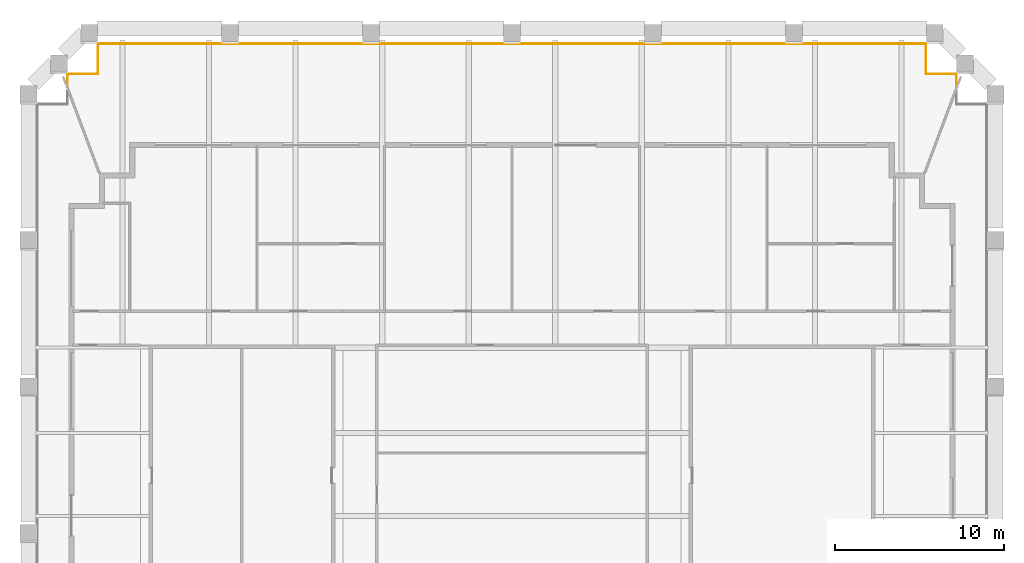
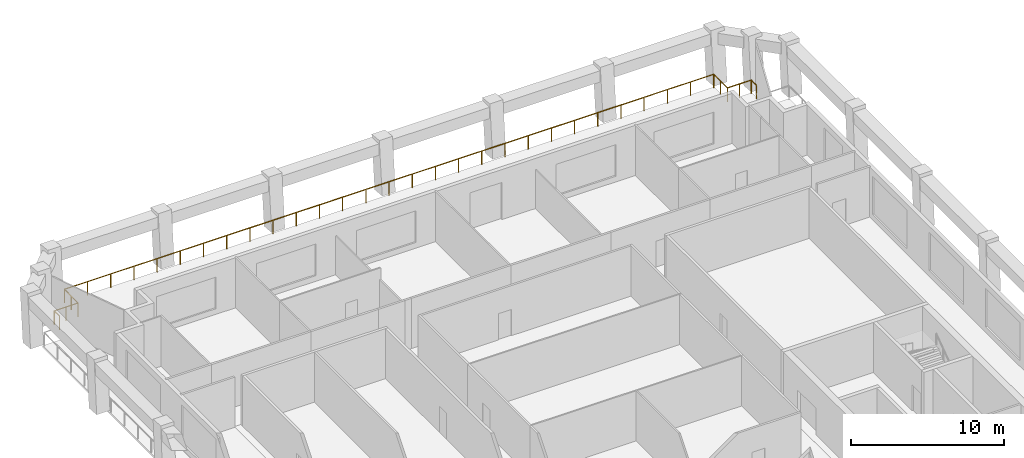
# One storey, part 9 of 9: 1 railing.
"""IFC4 building model written with IfcOpenShell, lengths in metres."""

from ifc_helpers import new_model, si_unit, direction, frame, origin, origin_2d, place, context, subcontext, project, spatial, circle, extrude, material, type_object, element, save


model = new_model("IFC4")

# Units and contexts
model_context = context("Model", 3, precision=1e-05, world=origin(), true_north=direction((0.0, 1.0)))
body_context = subcontext(model_context, "Body", "Model", "MODEL_VIEW")
ifc_project = project(units=[si_unit("LENGTHUNIT", "METRE"), si_unit("AREAUNIT", "SQUARE_METRE"), si_unit("VOLUMEUNIT", "CUBIC_METRE"), si_unit("PLANEANGLEUNIT", "RADIAN"), si_unit("MASSUNIT", "GRAM", prefix="KILO")], contexts=[model_context])

# Site, building, storey
site_placement = place(None, origin())
site = spatial("IfcSite", under=ifc_project, at=site_placement, CompositionType="ELEMENT")
building_placement = place(site_placement, origin())
building = spatial("IfcBuilding", under=site, at=building_placement, Name="Ogive Exchange Tower", CompositionType="ELEMENT")
storey_placement = place(building_placement, frame((0.0, 0.0, 346.800048828125)))
storey = spatial("IfcBuildingStorey", under=building, at=storey_placement, Name="L76", CompositionType="ELEMENT", Elevation=346.800048828125)

# Railing
ifc_material = material(Name="Stainless steel 316", Category="steel")
railing_type = type_object("IfcRailingType", Name="Guard 1100 stainless steel and glass", PredefinedType="GUARDRAIL", material=ifc_material)
railing_placement = place(storey_placement, frame((-26.330078125, 56.3837890625, -0.050048828125)))
element("IfcRailing", 1, at=railing_placement, inside=storey, type_object=railing_type, Name="Loggia guard 3", PredefinedType="GUARDRAIL", context=body_context, shape_type="SweptSolid", body=[
    extrude(circle(Radius=0.02392578125, at=origin_2d()), frame((0.0, 0.0, 1.076171875), z_axis=(0.0, 1.0, 0.0), x_axis=(-1.0, 0.0, 0.0)), (0.0, 0.0, 1.0), 0.677978515625),
    extrude(circle(Radius=0.02392578125, at=origin_2d()), frame((0.0, 0.677978515625, 1.076171875), z_axis=(1.0, 0.0, 0.0), x_axis=(0.0, 1.0, 0.0)), (0.0, 0.0, 1.0), 1.800048828125),
    extrude(circle(Radius=0.02392578125, at=origin_2d()), frame((1.800048828125, 0.677978515625, 1.076171875), z_axis=(0.0, 1.0, 0.0), x_axis=(-1.0, 0.0, 0.0)), (0.0, 0.0, 1.0), 1.800048828125),
    extrude(circle(Radius=0.02392578125, at=origin_2d()), frame((1.800048828125, 2.47802734375, 1.076171875), z_axis=(1.0, 0.0, 0.0), x_axis=(0.0, 1.0, 0.0)), (0.0, 0.0, 1.0), 49.06005859375),
    extrude(circle(Radius=0.02392578125, at=origin_2d()), frame((50.860107421875, 2.47802734375, 1.076171875), z_axis=(0.0, -1.0, 0.0), x_axis=(1.0, 0.0, 0.0)), (0.0, 0.0, 1.0), 1.800048828125),
    extrude(circle(Radius=0.02392578125, at=origin_2d()), frame((50.860107421875, 0.677978515625, 1.076171875), z_axis=(1.0, 0.0, 0.0), x_axis=(0.0, 1.0, 0.0)), (0.0, 0.0, 1.0), 1.800048828125),
    extrude(circle(Radius=0.02392578125, at=origin_2d()), frame((52.66015625, 0.677978515625, 1.076171875), z_axis=(0.0, -1.0, 0.0), x_axis=(1.0, 0.0, 0.0)), (0.0, 0.0, 1.0), 0.677978515625),
    extrude(circle(Radius=0.02099609375, at=origin_2d()), origin(), (0.0, 0.0, 1.0), 1.052001953125),
    extrude(circle(Radius=0.02099609375, at=origin_2d()), frame((0.0, 0.677978515625, 0.0)), (0.0, 0.0, 1.0), 1.052001953125),
    extrude(circle(Radius=0.02099609375, at=origin_2d()), frame((0.89990234375, 0.677978515625, 0.0)), (0.0, 0.0, 1.0), 1.052001953125),
    extrude(circle(Radius=0.02099609375, at=origin_2d()), frame((1.800048828125, 0.677978515625, 0.0)), (0.0, 0.0, 1.0), 1.052001953125),
    extrude(circle(Radius=0.02099609375, at=origin_2d()), frame((1.800048828125, 1.578125, 0.0)), (0.0, 0.0, 1.0), 1.052001953125),
    extrude(circle(Radius=0.02099609375, at=origin_2d()), frame((1.800048828125, 2.47802734375, 0.0)), (0.0, 0.0, 1.0), 1.052001953125),
    extrude(circle(Radius=0.02099609375, at=origin_2d()), frame((3.55224609375, 2.47802734375, 0.0)), (0.0, 0.0, 1.0), 1.052001953125),
    extrude(circle(Radius=0.02099609375, at=origin_2d()), frame((5.304443359375, 2.47802734375, 0.0)), (0.0, 0.0, 1.0), 1.052001953125),
    extrude(circle(Radius=0.02099609375, at=origin_2d()), frame((7.056396484375, 2.47802734375, 0.0)), (0.0, 0.0, 1.0), 1.052001953125),
    extrude(circle(Radius=0.02099609375, at=origin_2d()), frame((8.80859375, 2.47802734375, 0.0)), (0.0, 0.0, 1.0), 1.052001953125),
    extrude(circle(Radius=0.02099609375, at=origin_2d()), frame((10.560791015625, 2.47802734375, 0.0)), (0.0, 0.0, 1.0), 1.052001953125),
    extrude(circle(Radius=0.02099609375, at=origin_2d()), frame((12.31298828125, 2.47802734375, 0.0)), (0.0, 0.0, 1.0), 1.052001953125),
    extrude(circle(Radius=0.02099609375, at=origin_2d()), frame((14.06494140625, 2.47802734375, 0.0)), (0.0, 0.0, 1.0), 1.052001953125),
    extrude(circle(Radius=0.02099609375, at=origin_2d()), frame((15.817138671875, 2.47802734375, 0.0)), (0.0, 0.0, 1.0), 1.052001953125),
    extrude(circle(Radius=0.02099609375, at=origin_2d()), frame((17.5693359375, 2.47802734375, 0.0)), (0.0, 0.0, 1.0), 1.052001953125),
    extrude(circle(Radius=0.02099609375, at=origin_2d()), frame((19.321533203125, 2.47802734375, 0.0)), (0.0, 0.0, 1.0), 1.052001953125),
    extrude(circle(Radius=0.02099609375, at=origin_2d()), frame((21.07373046875, 2.47802734375, 0.0)), (0.0, 0.0, 1.0), 1.052001953125),
    extrude(circle(Radius=0.02099609375, at=origin_2d()), frame((22.82568359375, 2.47802734375, 0.0)), (0.0, 0.0, 1.0), 1.052001953125),
    extrude(circle(Radius=0.02099609375, at=origin_2d()), frame((24.577880859375, 2.47802734375, 0.0)), (0.0, 0.0, 1.0), 1.052001953125),
    extrude(circle(Radius=0.02099609375, at=origin_2d()), frame((26.330078125, 2.47802734375, 0.0)), (0.0, 0.0, 1.0), 1.052001953125),
    extrude(circle(Radius=0.02099609375, at=origin_2d()), frame((28.082275390625, 2.47802734375, 0.0)), (0.0, 0.0, 1.0), 1.052001953125),
    extrude(circle(Radius=0.02099609375, at=origin_2d()), frame((29.83447265625, 2.47802734375, 0.0)), (0.0, 0.0, 1.0), 1.052001953125),
    extrude(circle(Radius=0.02099609375, at=origin_2d()), frame((31.58642578125, 2.47802734375, 0.0)), (0.0, 0.0, 1.0), 1.052001953125),
    extrude(circle(Radius=0.02099609375, at=origin_2d()), frame((33.338623046875, 2.47802734375, 0.0)), (0.0, 0.0, 1.0), 1.052001953125),
    extrude(circle(Radius=0.02099609375, at=origin_2d()), frame((35.0908203125, 2.47802734375, 0.0)), (0.0, 0.0, 1.0), 1.052001953125),
    extrude(circle(Radius=0.02099609375, at=origin_2d()), frame((36.843017578125, 2.47802734375, 0.0)), (0.0, 0.0, 1.0), 1.052001953125),
    extrude(circle(Radius=0.02099609375, at=origin_2d()), frame((38.59521484375, 2.47802734375, 0.0)), (0.0, 0.0, 1.0), 1.052001953125),
    extrude(circle(Radius=0.02099609375, at=origin_2d()), frame((40.34716796875, 2.47802734375, 0.0)), (0.0, 0.0, 1.0), 1.052001953125),
    extrude(circle(Radius=0.02099609375, at=origin_2d()), frame((42.099365234375, 2.47802734375, 0.0)), (0.0, 0.0, 1.0), 1.052001953125),
    extrude(circle(Radius=0.02099609375, at=origin_2d()), frame((43.8515625, 2.47802734375, 0.0)), (0.0, 0.0, 1.0), 1.052001953125),
    extrude(circle(Radius=0.02099609375, at=origin_2d()), frame((45.603759765625, 2.47802734375, 0.0)), (0.0, 0.0, 1.0), 1.052001953125),
    extrude(circle(Radius=0.02099609375, at=origin_2d()), frame((47.355712890625, 2.47802734375, 0.0)), (0.0, 0.0, 1.0), 1.052001953125),
    extrude(circle(Radius=0.02099609375, at=origin_2d()), frame((49.10791015625, 2.47802734375, 0.0)), (0.0, 0.0, 1.0), 1.052001953125),
    extrude(circle(Radius=0.02099609375, at=origin_2d()), frame((50.860107421875, 2.47802734375, 0.0)), (0.0, 0.0, 1.0), 1.052001953125),
    extrude(circle(Radius=0.02099609375, at=origin_2d()), frame((50.860107421875, 1.578125, 0.0)), (0.0, 0.0, 1.0), 1.052001953125),
    extrude(circle(Radius=0.02099609375, at=origin_2d()), frame((50.860107421875, 0.677978515625, 0.0)), (0.0, 0.0, 1.0), 1.052001953125),
    extrude(circle(Radius=0.02099609375, at=origin_2d()), frame((51.76025390625, 0.677978515625, 0.0)), (0.0, 0.0, 1.0), 1.052001953125),
    extrude(circle(Radius=0.02099609375, at=origin_2d()), frame((52.66015625, 0.677978515625, 0.0)), (0.0, 0.0, 1.0), 1.052001953125),
    extrude(circle(Radius=0.02099609375, at=origin_2d()), frame((52.66015625, 0.0, 0.0)), (0.0, 0.0, 1.0), 1.052001953125),
])

save(model, "model.ifc")
